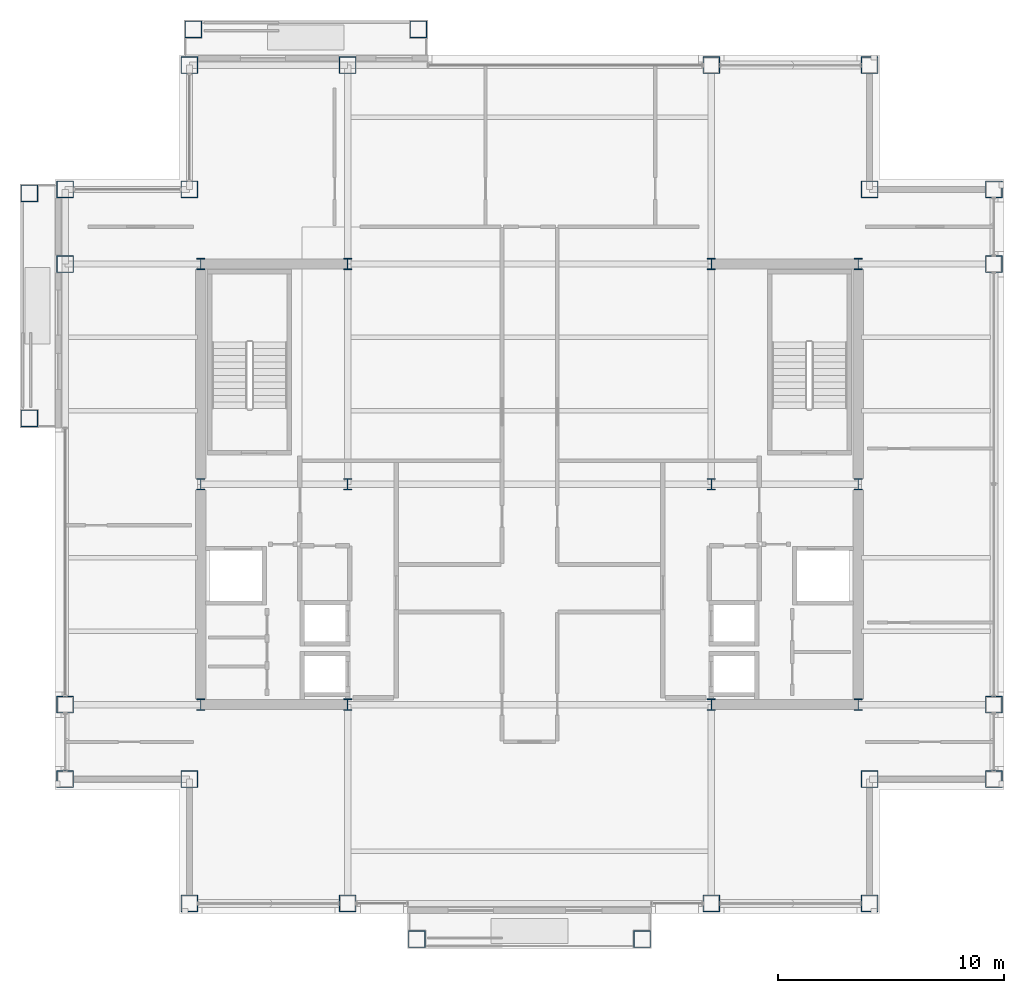
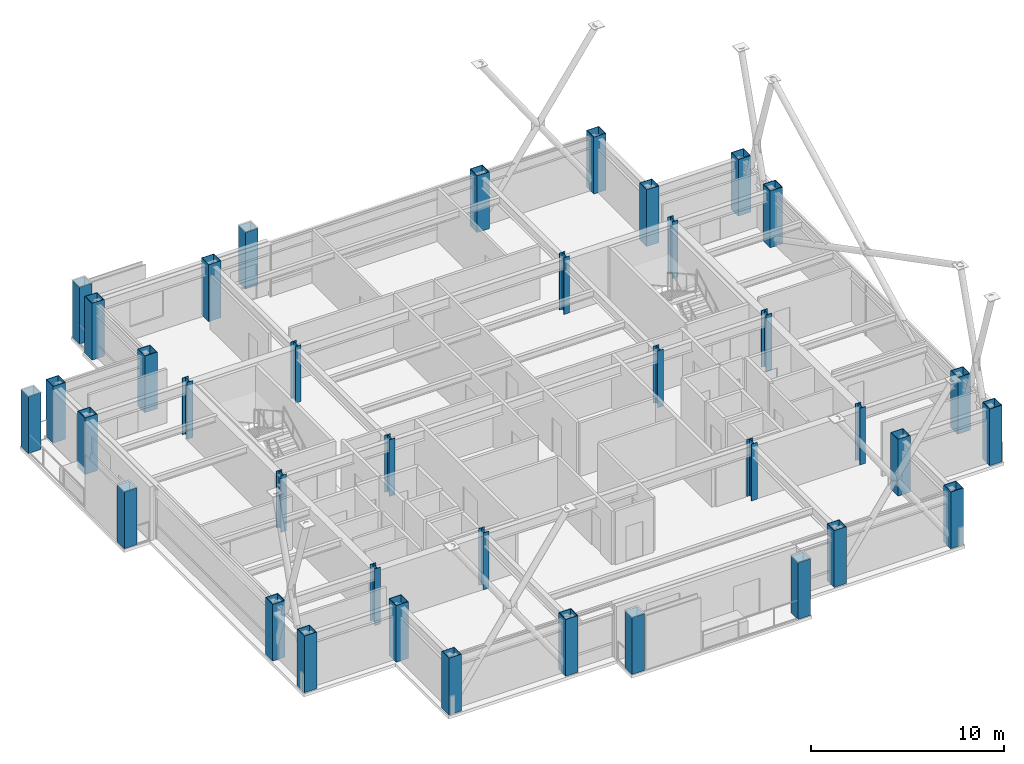
# One storey, part 1 of 30: 38 columns.
"""IFC4 building model written with IfcOpenShell, lengths in metres."""

from ifc_helpers import new_model, si_unit, direction, frame, origin, origin_2d, place, context, subcontext, project, spatial, hollow_rectangle, i_section, extrude, material, material_profile, profile_set, type_object, element, save


model = new_model("IFC4")

# Units and contexts
model_context = context("Model", 3, precision=1e-05, world=origin(), true_north=direction((0.0, 1.0)))
body_context = subcontext(model_context, "Body", "Model", "MODEL_VIEW")
ifc_project = project(units=[si_unit("LENGTHUNIT", "METRE"), si_unit("AREAUNIT", "SQUARE_METRE"), si_unit("VOLUMEUNIT", "CUBIC_METRE"), si_unit("PLANEANGLEUNIT", "RADIAN"), si_unit("MASSUNIT", "GRAM", prefix="KILO")], contexts=[model_context])

# Site, building, storey
site_placement = place(None, origin())
site = spatial("IfcSite", under=ifc_project, at=site_placement, CompositionType="ELEMENT")
building_placement = place(site_placement, origin())
building = spatial("IfcBuilding", under=site, at=building_placement, Name="Brelmoor Portico Tower", CompositionType="ELEMENT")
storey_placement = place(building_placement, frame((0.0, 0.0, 173.10009765625)))
storey = spatial("IfcBuildingStorey", under=building, at=storey_placement, Name="L45", CompositionType="ELEMENT", Elevation=173.10009765625)

# Columns
ifc_material = material(Name="Steel Q355B", Category="steel")
ifc_material_profile_1 = material_profile(ifc_material, hollow_rectangle(XDim=0.75, YDim=0.75, WallThickness=0.031982421875, at=origin_2d()), Name="BOX 750x750x32")
ifc_profile_set_1 = profile_set([ifc_material_profile_1], Name="Steel Q355B")
column_type_1 = type_object("IfcColumnType", Name="COL-MEGA-750", PredefinedType="COLUMN", material=ifc_profile_set_1)
for number, where, z_axis, x_axis, name in (
    (1, (-15.050048828125, -18.550048828125, 0.0), (0.0, 0.0, 1.0), (1.0, 0.0, 0.0), "L45 Perimeter Mega-Column PS01"),
    (2, (-8.050048828125, -18.550048828125, 0.0), (0.0, 0.0, 1.0), (1.0, 0.0, 0.0), "L45 Perimeter Mega-Column PS02"),
    (3, (8.050048828125, -18.550048828125, 0.0), (0.0, 0.0, 1.0), (1.0, 0.0, 0.0), "L45 Perimeter Mega-Column PS03"),
    (4, (15.050048828125, -18.550048828125, 0.0), (0.0, 0.0, 1.0), (1.0, 0.0, 0.0), "L45 Perimeter Mega-Column PS04"),
    (5, (-15.050048828125, 18.550048828125, 0.0), (0.0, 0.0, 1.0), (1.0, 0.0, 0.0), "L45 Perimeter Mega-Column PN01"),
    (6, (-8.050048828125, 18.550048828125, 0.0), (0.0, 0.0, 1.0), (1.0, 0.0, 0.0), "L45 Perimeter Mega-Column PN02"),
    (7, (8.050048828125, 18.550048828125, 0.0), (0.0, 0.0, 1.0), (1.0, 0.0, 0.0), "L45 Perimeter Mega-Column PN03"),
    (8, (15.050048828125, 18.550048828125, 0.0), (0.0, 0.0, 1.0), (1.0, 0.0, 0.0), "L45 Perimeter Mega-Column PN04"),
    (9, (-20.550048828125, -13.050048828125, 0.0), (0.0, 0.0, 1.0), (0.0, 1.0, 0.0), "L45 Perimeter Mega-Column PW01"),
    (10, (-20.550048828125, -9.75, 0.0), (0.0, 0.0, 1.0), (0.0, 1.0, 0.0), "L45 Perimeter Mega-Column PW02"),
    (11, (-20.550048828125, 9.75, 0.0), (0.0, 0.0, 1.0), (0.0, 1.0, 0.0), "L45 Perimeter Mega-Column PW03"),
    (12, (-20.550048828125, 13.050048828125, 0.0), (0.0, 0.0, 1.0), (0.0, 1.0, 0.0), "L45 Perimeter Mega-Column PW04"),
    (13, (20.550048828125, -13.050048828125, 0.0), (0.0, 0.0, 1.0), (0.0, 1.0, 0.0), "L45 Perimeter Mega-Column PE01"),
    (14, (20.550048828125, -9.75, 0.0), (0.0, 0.0, 1.0), (0.0, 1.0, 0.0), "L45 Perimeter Mega-Column PE02"),
    (15, (20.550048828125, 9.75, 0.0), (0.0, 0.0, 1.0), (0.0, 1.0, 0.0), "L45 Perimeter Mega-Column PE03"),
    (16, (20.550048828125, 13.050048828125, 0.0), (0.0, 0.0, 1.0), (0.0, 1.0, 0.0), "L45 Perimeter Mega-Column PE04"),
    (17, (-15.050048828125, 13.050048828125, 0.0), (0.0, 0.0, 1.0), (1.0, 0.0, 0.0), "L45 Perimeter Mega-Column PC-NW"),
    (18, (15.050048828125, 13.050048828125, 0.0), (0.0, 0.0, 1.0), (1.0, 0.0, 0.0), "L45 Perimeter Mega-Column PC-NE"),
    (19, (15.050048828125, -13.050048828125, 0.0), (0.0, 0.0, 1.0), (1.0, 0.0, 0.0), "L45 Perimeter Mega-Column PC-SE"),
    (20, (-15.050048828125, -13.050048828125, 0.0), (0.0, 0.0, 1.0), (1.0, 0.0, 0.0), "L45 Perimeter Mega-Column PC-SW"),
    (21, (-4.97998046875, -20.1298828125, 0.0), (0.0, 0.0, 1.0), (1.0, 0.0, 0.0), "L45 Proud Picture-Frame Pier PFJ-S1"),
    (22, (4.97998046875, -20.1298828125, 0.0), (0.0, 0.0, 1.0), (1.0, 0.0, 0.0), "L45 Proud Picture-Frame Pier PFJ-S2"),
    (23, (-14.8798828125, 20.1298828125, 0.0), (0.0, 0.0, 1.0), (1.0, 0.0, 0.0), "L45 Proud Picture-Frame Pier PFJ-N1"),
    (24, (-4.919921875, 20.1298828125, 0.0), (0.0, 0.0, 1.0), (1.0, 0.0, 0.0), "L45 Proud Picture-Frame Pier PFJ-N2"),
    (25, (-22.1298828125, 2.919921875, 0.0), (0.0, 0.0, 1.0), (0.0, 1.0, 0.0), "L45 Proud Picture-Frame Pier PFJ-W1"),
    (26, (-22.1298828125, 12.8798828125, 0.0), (0.0, 0.0, 1.0), (0.0, 1.0, 0.0), "L45 Proud Picture-Frame Pier PFJ-W2"),
):
    element("IfcColumn", number, at=place(storey_placement, frame(where, z_axis=z_axis, x_axis=x_axis)), inside=storey, type_object=column_type_1, Name=name, PredefinedType="COLUMN", context=body_context, shape_type="SweptSolid", body=[
        extrude(hollow_rectangle(XDim=0.75, YDim=0.75, WallThickness=0.031982421875, at=origin_2d()), origin(), (0.0, 0.0, 1.0), 3.599853515625),
    ])
ifc_material_profile_2 = material_profile(ifc_material, i_section(OverallWidth=0.35009765625, OverallDepth=0.5, WebThickness=0.02001953125, FlangeThickness=0.031982421875, at=origin_2d()), Name="HW 500x350x20x32")
ifc_profile_set_2 = profile_set([ifc_material_profile_2], Name="Steel Q355B")
column_type_2 = type_object("IfcColumnType", Name="COL-SPINE-500", PredefinedType="COLUMN", material=ifc_profile_set_2)
for number, where, z_axis, x_axis, name in (
    (27, (-14.550048828125, -9.75, 0.0), (0.0, 0.0, 1.0), (1.0, 0.0, 0.0), "L45 Core Spine Column CW-SW"),
    (28, (-14.550048828125, 0.0, 0.0), (0.0, 0.0, 1.0), (1.0, 0.0, 0.0), "L45 Core Spine Column CW-MW"),
    (29, (-14.550048828125, 9.75, 0.0), (0.0, 0.0, 1.0), (1.0, 0.0, 0.0), "L45 Core Spine Column CW-NW"),
    (30, (-8.050048828125, -9.75, 0.0), (0.0, 0.0, 1.0), (1.0, 0.0, 0.0), "L45 Core Spine Column CW-SE"),
    (31, (-8.050048828125, 0.0, 0.0), (0.0, 0.0, 1.0), (1.0, 0.0, 0.0), "L45 Core Spine Column CW-ME"),
    (32, (-8.050048828125, 9.75, 0.0), (0.0, 0.0, 1.0), (1.0, 0.0, 0.0), "L45 Core Spine Column CW-NE"),
    (33, (8.050048828125, -9.75, 0.0), (0.0, 0.0, 1.0), (1.0, 0.0, 0.0), "L45 Core Spine Column CE-SW"),
    (34, (8.050048828125, 0.0, 0.0), (0.0, 0.0, 1.0), (1.0, 0.0, 0.0), "L45 Core Spine Column CE-MW"),
    (35, (8.050048828125, 9.75, 0.0), (0.0, 0.0, 1.0), (1.0, 0.0, 0.0), "L45 Core Spine Column CE-NW"),
    (36, (14.550048828125, -9.75, 0.0), (0.0, 0.0, 1.0), (1.0, 0.0, 0.0), "L45 Core Spine Column CE-SE"),
    (37, (14.550048828125, 0.0, 0.0), (0.0, 0.0, 1.0), (1.0, 0.0, 0.0), "L45 Core Spine Column CE-ME"),
    (38, (14.550048828125, 9.75, 0.0), (0.0, 0.0, 1.0), (1.0, 0.0, 0.0), "L45 Core Spine Column CE-NE"),
):
    element("IfcColumn", number, at=place(storey_placement, frame(where, z_axis=z_axis, x_axis=x_axis)), inside=storey, type_object=column_type_2, Name=name, PredefinedType="COLUMN", context=body_context, shape_type="SweptSolid", body=[
        extrude(i_section(OverallWidth=0.35009765625, OverallDepth=0.5, WebThickness=0.02001953125, FlangeThickness=0.031982421875, at=origin_2d()), origin(), (0.0, 0.0, 1.0), 3.599853515625),
    ])

save(model, "model.ifc")
